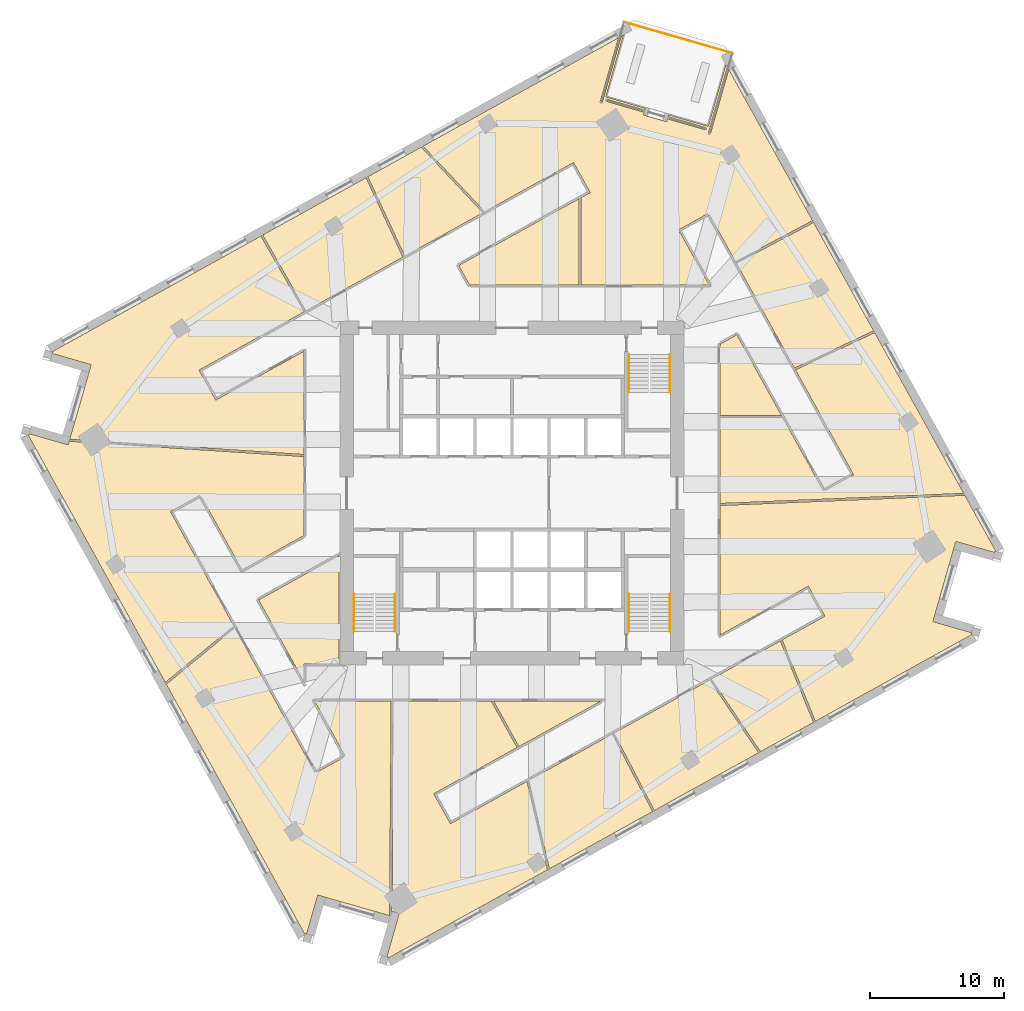
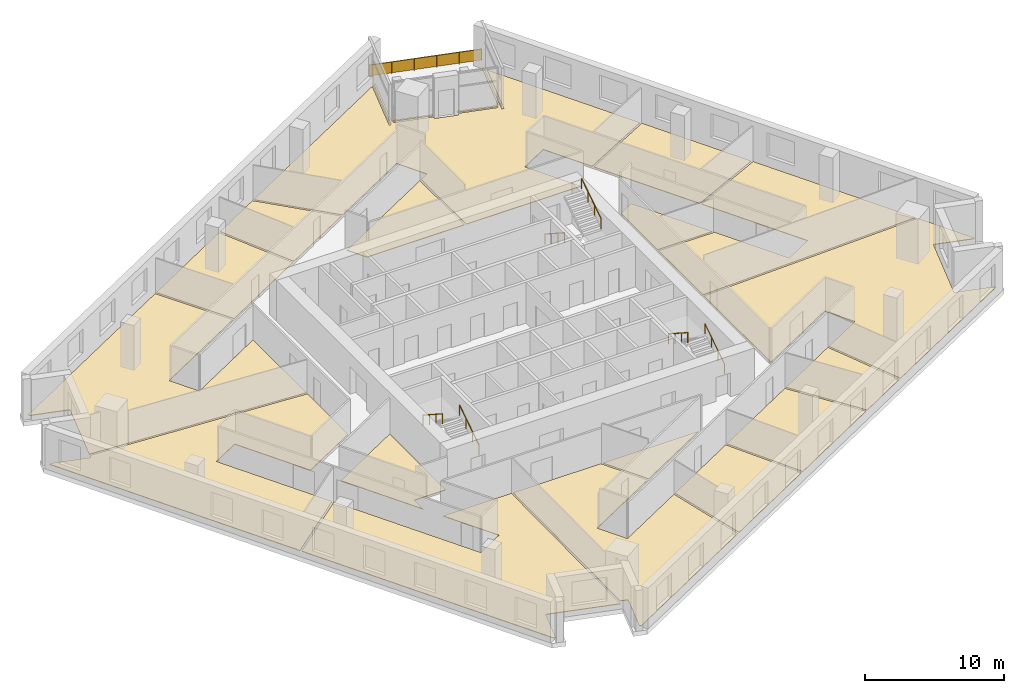
# One storey, part 11 of 12: 17 coverings, 7 railings.
"""IFC4 building model written with IfcOpenShell, lengths in metres."""

from ifc_helpers import new_model, si_unit, direction, frame, origin, origin_2d, place, context, subcontext, project, spatial, polyline, rectangle, circle, outline, extrude, material, layer, layer_set, type_object, element, save


model = new_model("IFC4")

# Units and contexts
model_context = context("Model", 3, precision=1e-05, world=origin(), true_north=direction((0.0, 1.0)))
body_context = subcontext(model_context, "Body", "Model", "MODEL_VIEW")
ifc_project = project(units=[si_unit("LENGTHUNIT", "METRE"), si_unit("AREAUNIT", "SQUARE_METRE"), si_unit("VOLUMEUNIT", "CUBIC_METRE"), si_unit("PLANEANGLEUNIT", "RADIAN"), si_unit("MASSUNIT", "GRAM", prefix="KILO")], contexts=[model_context])

# Site, building, storey
site_placement = place(None, origin())
site = spatial("IfcSite", under=ifc_project, at=site_placement, CompositionType="ELEMENT")
building_placement = place(site_placement, origin())
building = spatial("IfcBuilding", under=site, at=building_placement, Name="Dilmun Exchange Tower", CompositionType="ELEMENT")
storey_placement = place(building_placement, frame((0.0, 0.0, 143.699951171875)))
storey = spatial("IfcBuildingStorey", under=building, at=storey_placement, Name="L33", CompositionType="ELEMENT", Elevation=143.699951171875)

# Coverings
ifc_material_1 = material(Name="Carpet floor finish 50")
ifc_layer_1 = layer(ifc_material_1, 0.050048828125)
ifc_layer_set_1 = layer_set([ifc_layer_1], Name="Carpet floor finish 50")
covering_type_1 = type_object("IfcCoveringType", Name="Carpet floor finish 50", PredefinedType="FLOORING", material=ifc_layer_set_1)
covering_1_placement = place(storey_placement, origin())
element("IfcCovering", 1, at=covering_1_placement, inside=storey, type_object=covering_type_1, Name="Carpet floor finish 50 Open office 1", PredefinedType="FLOORING", context=body_context, shape_type="SweptSolid", body=[
    extrude(outline(polyline([(-15.47509765625, 2.724365234375), (-15.47509765625, -3.157470703125), (-20.093017578125, -5.71728515625), (-23.18701171875, -0.135498046875), (-25.4169921875, -1.371337890625), (-20.697265625, -9.886474609375), (-25.802001953125, -14.09033203125), (-36.01611328125, 4.33642578125), (-35.947998046875, 4.31689453125), (-35.94775390625, 4.31689453125), (-35.947509765625, 4.31689453125), (-35.947509765625, 4.31689453125), (-35.947265625, 4.31689453125), (-35.947021484375, 4.31689453125), (-35.94677734375, 4.31689453125), (-35.946533203125, 4.31689453125), (-35.946533203125, 4.317138671875), (-35.9462890625, 4.317138671875), (-35.946044921875, 4.3173828125), (-35.946044921875, 4.3173828125), (-35.94580078125, 4.317626953125), (-35.94580078125, 4.31787109375), (-35.94580078125, 4.31787109375), (-35.945556640625, 4.318115234375), (-35.945556640625, 4.318359375), (-35.915283203125, 4.42333984375), (-33.033447265625, 3.596923828125), (-33.033203125, 3.596923828125), (-33.033203125, 3.596923828125), (-33.032958984375, 3.596923828125), (-33.03271484375, 3.596923828125), (-33.032470703125, 3.596923828125), (-33.0322265625, 3.596923828125), (-33.031982421875, 3.59716796875), (-33.031982421875, 3.59716796875), (-33.03173828125, 3.597412109375), (-33.031494140625, 3.597412109375), (-33.031494140625, 3.597412109375), (-33.03125, 3.59765625), (-33.03125, 3.597900390625), (-33.031005859375, 3.597900390625), (-33.031005859375, 3.59814453125), (-33.031005859375, 3.598388671875), (-32.9560546875, 3.85986328125), (-15.47509765625, 2.724365234375)])), origin(), (0.0, 0.0, 1.0), 0.050048828125),
])
covering_2_placement = place(storey_placement, origin())
element("IfcCovering", 2, at=covering_2_placement, inside=storey, type_object=covering_type_1, Name="Carpet floor finish 50 Analyst office 1", PredefinedType="FLOORING", context=body_context, shape_type="SweptSolid", body=[
    extrude(outline(polyline([(-15.459228515625, 13.4921875), (-23.288818359375, 9.152099609375), (-22.052490234375, 6.921875), (-15.47509765625, 10.568115234375), (-15.47509765625, 2.87451171875), (-32.91357421875, 4.007568359375), (-32.865478515625, 4.175048828125), (-32.865478515625, 4.17529296875), (-32.865478515625, 4.17529296875), (-31.4873046875, 8.9814453125), (-31.4873046875, 8.981689453125), (-31.4873046875, 8.981689453125), (-31.4873046875, 8.98193359375), (-31.322021484375, 9.55810546875), (-31.322021484375, 9.558349609375), (-31.322021484375, 9.55859375), (-31.322021484375, 9.558837890625), (-31.322021484375, 9.55908203125), (-31.322021484375, 9.55908203125), (-31.322021484375, 9.559326171875), (-31.322265625, 9.5595703125), (-31.322265625, 9.559814453125), (-31.322509765625, 9.559814453125), (-31.322509765625, 9.56005859375), (-31.322509765625, 9.560302734375), (-31.32275390625, 9.560302734375), (-31.322998046875, 9.560546875), (-31.322998046875, 9.560546875), (-31.3232421875, 9.560546875), (-31.323486328125, 9.560791015625), (-34.205322265625, 10.386962890625), (-34.17529296875, 10.4921875), (-34.17529296875, 10.4921875), (-34.175048828125, 10.492431640625), (-34.175048828125, 10.49267578125), (-34.175048828125, 10.492919921875), (-34.17529296875, 10.492919921875), (-34.17529296875, 10.4931640625), (-34.17529296875, 10.493408203125), (-34.17529296875, 10.49365234375), (-34.175537109375, 10.49365234375), (-34.175537109375, 10.493896484375), (-34.17578125, 10.493896484375), (-34.17578125, 10.494140625), (-34.176025390625, 10.494384765625), (-34.17626953125, 10.494384765625), (-34.176513671875, 10.494384765625), (-34.176513671875, 10.494384765625), (-34.24462890625, 10.51416015625), (-18.68798828125, 19.13720703125), (-15.459228515625, 13.4921875)])), origin(), (0.0, 0.0, 1.0), 0.050048828125),
])
covering_3_placement = place(storey_placement, origin())
element("IfcCovering", 3, at=covering_3_placement, inside=storey, type_object=covering_type_1, Name="Carpet floor finish 50 Analyst office 2", PredefinedType="FLOORING", context=body_context, shape_type="SweptSolid", body=[
    extrude(outline(polyline([(-14.68408203125, -15.47509765625), (-8.986572265625, -15.47509765625), (-9.112060546875, -31.449951171875), (-13.875, -30.084228515625), (-13.875244140625, -30.083984375), (-13.87548828125, -30.083984375), (-14.4521484375, -29.918701171875), (-14.452392578125, -29.918701171875), (-14.452392578125, -29.918701171875), (-14.45263671875, -29.918701171875), (-14.452880859375, -29.918701171875), (-14.453125, -29.918701171875), (-14.453369140625, -29.918701171875), (-14.45361328125, -29.918701171875), (-14.45361328125, -29.9189453125), (-14.453857421875, -29.9189453125), (-14.4541015625, -29.919189453125), (-14.4541015625, -29.919189453125), (-14.4541015625, -29.91943359375), (-14.454345703125, -29.91943359375), (-14.45458984375, -29.919677734375), (-14.45458984375, -29.919921875), (-14.45458984375, -29.920166015625), (-15.281005859375, -32.802001953125), (-15.385986328125, -32.77197265625), (-15.38623046875, -32.771728515625), (-15.386474609375, -32.771728515625), (-15.38671875, -32.771728515625), (-15.386962890625, -32.771728515625), (-15.386962890625, -32.77197265625), (-15.38720703125, -32.77197265625), (-15.387451171875, -32.77197265625), (-15.3876953125, -32.772216796875), (-15.3876953125, -32.772216796875), (-15.387939453125, -32.772216796875), (-15.38818359375, -32.7724609375), (-15.38818359375, -32.772705078125), (-15.38818359375, -32.772705078125), (-15.388427734375, -32.77294921875), (-15.388427734375, -32.773193359375), (-15.388671875, -32.773193359375), (-15.408203125, -32.84130859375), (-25.72802734375, -14.2236328125), (-20.623291015625, -10.02001953125), (-14.632080078125, -20.828369140625), (-12.40185546875, -19.592041015625), (-14.68408203125, -15.47509765625)])), origin(), (0.0, 0.0, 1.0), 0.050048828125),
])
covering_4_placement = place(storey_placement, origin())
element("IfcCovering", 4, at=covering_4_placement, inside=storey, type_object=covering_type_1, Name="Carpet floor finish 50 Meeting room 1", PredefinedType="FLOORING", context=body_context, shape_type="SweptSolid", body=[
    extrude(outline(polyline([(-12.875, -4.6318359375), (-12.875, -12.724853515625), (-15.474609375, -12.72509765625), (-15.47509765625, -14.048095703125), (-18.856689453125, -7.947509765625), (-12.875, -4.6318359375)])), origin(), (0.0, 0.0, 1.0), 0.050048828125),
])
covering_5_placement = place(storey_placement, origin())
element("IfcCovering", 5, at=covering_5_placement, inside=storey, type_object=covering_type_1, Name="Carpet floor finish 50 Break-out lounge 1", PredefinedType="FLOORING", context=body_context, shape_type="SweptSolid", body=[
    extrude(outline(polyline([(-8.11376953125, 17.56396484375), (-15.328125, 13.56494140625), (-18.556884765625, 19.2099609375), (-10.860595703125, 23.476318359375), (-8.11376953125, 17.56396484375)])), origin(), (0.0, 0.0, 1.0), 0.050048828125),
])
covering_6_placement = place(storey_placement, origin())
element("IfcCovering", 6, at=covering_6_placement, inside=storey, type_object=covering_type_1, Name="Carpet floor finish 50 Open office 2", PredefinedType="FLOORING", context=body_context, shape_type="SweptSolid", body=[
    extrude(outline(polyline([(-8.836669921875, -15.47509765625), (-1.54052734375, -15.47509765625), (0.3779296875, -18.936279296875), (-5.81591796875, -22.3701171875), (-4.579345703125, -24.599853515625), (1.1162109375, -21.442626953125), (2.647216796875, -28.02880859375), (-9.23046875, -34.61279296875), (-9.2109375, -34.544677734375), (-9.2109375, -34.54443359375), (-9.210693359375, -34.544189453125), (-9.210693359375, -34.5439453125), (-9.210693359375, -34.543701171875), (-9.2109375, -34.543701171875), (-9.2109375, -34.54345703125), (-9.2109375, -34.543212890625), (-9.211181640625, -34.54296875), (-9.211181640625, -34.54296875), (-9.211181640625, -34.542724609375), (-9.21142578125, -34.54248046875), (-9.211669921875, -34.54248046875), (-9.211669921875, -34.542236328125), (-9.2119140625, -34.542236328125), (-9.212158203125, -34.542236328125), (-9.21240234375, -34.5419921875), (-9.3173828125, -34.511962890625), (-8.392822265625, -31.288330078125), (-8.392822265625, -31.2880859375), (-8.392822265625, -31.2880859375), (-8.392822265625, -31.287841796875), (-8.392822265625, -31.28759765625), (-8.392822265625, -31.287353515625), (-8.392822265625, -31.287109375), (-8.39306640625, -31.287109375), (-8.39306640625, -31.286865234375), (-8.393310546875, -31.28662109375), (-8.393310546875, -31.28662109375), (-8.393310546875, -31.286376953125), (-8.3935546875, -31.2861328125), (-8.393798828125, -31.2861328125), (-8.393798828125, -31.285888671875), (-8.39404296875, -31.285888671875), (-8.394287109375, -31.285888671875), (-8.959716796875, -31.123779296875), (-8.836669921875, -15.47509765625)])), origin(), (0.0, 0.0, 1.0), 0.050048828125),
])
covering_7_placement = place(storey_placement, origin())
element("IfcCovering", 7, at=covering_7_placement, inside=storey, type_object=covering_type_1, Name="Carpet floor finish 50 Meeting room 2", PredefinedType="FLOORING", context=body_context, shape_type="SweptSolid", body=[
    extrude(outline(polyline([(-1.369140625, -15.47509765625), (6.62255859375, -15.47509765625), (0.50927734375, -18.863525390625), (-1.369140625, -15.47509765625)])), origin(), (0.0, 0.0, 1.0), 0.050048828125),
])
covering_8_placement = place(storey_placement, origin())
element("IfcCovering", 8, at=covering_8_placement, inside=storey, type_object=covering_type_1, Name="Carpet floor finish 50 Break-out lounge 2", PredefinedType="FLOORING", context=body_context, shape_type="SweptSolid", body=[
    extrude(outline(polyline([(7.4580078125, -17.927490234375), (10.466796875, -23.6943359375), (2.78369140625, -27.953125), (1.252685546875, -21.3671875), (7.4580078125, -17.927490234375)])), origin(), (0.0, 0.0, 1.0), 0.050048828125),
])
covering_9_placement = place(storey_placement, origin())
element("IfcCovering", 9, at=covering_9_placement, inside=storey, type_object=covering_type_1, Name="Carpet floor finish 50 Garden lounge", PredefinedType="FLOORING", context=body_context, shape_type="SweptSolid", body=[
    extrude(outline(polyline([(14.632080078125, 20.828369140625), (12.40185546875, 19.592041015625), (14.68408203125, 15.47509765625), (5.120361328125, 15.47509765625), (5.120361328125, 21.984130859375), (5.81591796875, 22.36962890625), (4.57958984375, 24.60009765625), (-2.021240234375, 20.94091796875), (-6.622802734375, 25.8251953125), (7.922119140625, 33.887451171875), (6.540283203125, 29.068603515625), (6.540283203125, 29.068359375), (6.540283203125, 29.068115234375), (6.540283203125, 29.068115234375), (6.540283203125, 29.06787109375), (6.540283203125, 29.067626953125), (6.540283203125, 29.0673828125), (6.540283203125, 29.0673828125), (6.540283203125, 29.067138671875), (6.54052734375, 29.06689453125), (6.540771484375, 29.06689453125), (6.540771484375, 29.066650390625), (6.541015625, 29.06640625), (6.541015625, 29.06640625), (6.541259765625, 29.06640625), (6.54150390625, 29.066162109375), (6.54150390625, 29.066162109375), (6.6953125, 29.02197265625), (6.695556640625, 29.02197265625), (6.69580078125, 29.02197265625), (6.696044921875, 29.02197265625), (6.6962890625, 29.02197265625), (6.6962890625, 29.02197265625), (6.696533203125, 29.02197265625), (6.69677734375, 29.022216796875), (6.697021484375, 29.022216796875), (6.697021484375, 29.022216796875), (6.697265625, 29.0224609375), (6.697509765625, 29.022705078125), (6.697509765625, 29.022705078125), (6.69775390625, 29.02294921875), (6.69775390625, 29.02294921875), (6.697998046875, 29.023193359375), (6.697998046875, 29.0234375), (8.125, 34.0), (8.3017578125, 34.097900390625), (6.97998046875, 29.48876953125), (9.923583984375, 28.64453125), (9.884033203125, 28.507080078125), (7.0126953125, 29.33056640625), (7.012451171875, 29.33056640625), (7.01220703125, 29.33056640625), (7.01220703125, 29.33056640625), (7.011962890625, 29.33056640625), (7.01171875, 29.33056640625), (7.011474609375, 29.33056640625), (7.011474609375, 29.330322265625), (7.01123046875, 29.330322265625), (7.010986328125, 29.330078125), (7.010986328125, 29.330078125), (7.0107421875, 29.330078125), (7.010498046875, 29.329833984375), (7.010498046875, 29.32958984375), (7.010498046875, 29.32958984375), (7.01025390625, 29.329345703125), (7.01025390625, 29.3291015625), (6.966064453125, 29.17529296875), (6.966064453125, 29.17529296875), (6.966064453125, 29.175048828125), (6.966064453125, 29.1748046875), (6.966064453125, 29.174560546875), (6.966064453125, 29.17431640625), (6.966064453125, 29.17431640625), (6.96630859375, 29.174072265625), (6.96630859375, 29.173828125), (6.96630859375, 29.173583984375), (6.966552734375, 29.173583984375), (6.966796875, 29.17333984375), (6.966796875, 29.173095703125), (6.967041015625, 29.173095703125), (6.967041015625, 29.173095703125), (6.96728515625, 29.1728515625), (6.967529296875, 29.1728515625), (9.8388671875, 28.349609375), (9.77880859375, 28.139892578125), (9.77880859375, 28.139892578125), (9.77880859375, 28.1396484375), (9.77880859375, 28.139404296875), (9.77880859375, 28.13916015625), (9.77880859375, 28.138916015625), (9.77880859375, 28.138916015625), (9.77880859375, 28.138671875), (9.779052734375, 28.138427734375), (9.779052734375, 28.13818359375), (9.779296875, 28.13818359375), (9.779296875, 28.137939453125), (9.779541015625, 28.137939453125), (9.779541015625, 28.1376953125), (9.77978515625, 28.1376953125), (9.780029296875, 28.1376953125), (9.7802734375, 28.137451171875), (11.510498046875, 27.641357421875), (11.5107421875, 27.641357421875), (11.510986328125, 27.641357421875), (11.510986328125, 27.641357421875), (11.51123046875, 27.641357421875), (11.511474609375, 27.641357421875), (11.51171875, 27.641357421875), (11.51171875, 27.6416015625), (11.511962890625, 27.6416015625), (11.51220703125, 27.6416015625), (11.51220703125, 27.641845703125), (11.512451171875, 27.641845703125), (11.5126953125, 27.64208984375), (11.5126953125, 27.64208984375), (11.5126953125, 27.642333984375), (11.512939453125, 27.642578125), (11.512939453125, 27.642822265625), (11.572998046875, 27.852294921875), (14.4443359375, 27.02880859375), (14.444580078125, 27.02880859375), (14.44482421875, 27.02880859375), (14.445068359375, 27.02880859375), (14.4453125, 27.02880859375), (14.4453125, 27.02880859375), (14.445556640625, 27.02880859375), (14.44580078125, 27.029052734375), (14.44580078125, 27.029052734375), (14.446044921875, 27.029296875), (14.4462890625, 27.029296875), (14.4462890625, 27.029296875), (14.446533203125, 27.029541015625), (14.446533203125, 27.02978515625), (14.44677734375, 27.02978515625), (14.44677734375, 27.030029296875), (14.447021484375, 27.0302734375), (14.490966796875, 27.18408203125), (14.490966796875, 27.18408203125), (14.490966796875, 27.184326171875), (14.4912109375, 27.1845703125), (14.490966796875, 27.184814453125), (14.490966796875, 27.18505859375), (14.490966796875, 27.185302734375), (14.490966796875, 27.185302734375), (14.49072265625, 27.185546875), (14.49072265625, 27.185791015625), (14.490478515625, 27.185791015625), (14.490478515625, 27.18603515625), (14.490234375, 27.186279296875), (14.489990234375, 27.186279296875), (14.489990234375, 27.186279296875), (14.48974609375, 27.1865234375), (14.489501953125, 27.1865234375), (11.6181640625, 28.010009765625), (11.65771484375, 28.1474609375), (14.60107421875, 27.303466796875), (15.9228515625, 31.91259765625), (16.02099609375, 31.73583984375), (14.593994140625, 26.75927734375), (14.59375, 26.759033203125), (14.59375, 26.7587890625), (14.59375, 26.7587890625), (14.59375, 26.758544921875), (14.59375, 26.75830078125), (14.593994140625, 26.758056640625), (14.593994140625, 26.758056640625), (14.593994140625, 26.7578125), (14.59423828125, 26.757568359375), (14.59423828125, 26.757568359375), (14.594482421875, 26.75732421875), (14.594482421875, 26.757080078125), (14.5947265625, 26.757080078125), (14.594970703125, 26.757080078125), (14.59521484375, 26.7568359375), (14.59521484375, 26.7568359375), (14.7490234375, 26.712646484375), (14.749267578125, 26.712646484375), (14.74951171875, 26.712646484375), (14.74951171875, 26.712646484375), (14.749755859375, 26.712646484375), (14.75, 26.712646484375), (14.750244140625, 26.712646484375), (14.75048828125, 26.712890625), (14.75048828125, 26.712890625), (14.750732421875, 26.712890625), (14.7509765625, 26.713134765625), (14.7509765625, 26.71337890625), (14.751220703125, 26.71337890625), (14.751220703125, 26.713623046875), (14.75146484375, 26.713623046875), (14.75146484375, 26.7138671875), (14.75146484375, 26.714111328125), (16.13330078125, 31.532958984375), (22.373291015625, 20.275390625), (16.62451171875, 17.234130859375), (14.632080078125, 20.828369140625)])), origin(), (0.0, 0.0, 1.0), 0.050048828125),
])
covering_10_placement = place(storey_placement, origin())
element("IfcCovering", 10, at=covering_10_placement, inside=storey, type_object=covering_type_1, Name="Carpet floor finish 50 Break-out lounge 3", PredefinedType="FLOORING", context=body_context, shape_type="SweptSolid", body=[
    extrude(outline(polyline([(7.589111328125, -17.854736328125), (14.709228515625, -13.907958984375), (18.359375, -19.319580078125), (10.597900390625, -23.62158203125), (7.589111328125, -17.854736328125)])), origin(), (0.0, 0.0, 1.0), 0.050048828125),
])
covering_11_placement = place(storey_placement, origin())
element("IfcCovering", 11, at=covering_11_placement, inside=storey, type_object=covering_type_1, Name="Carpet floor finish 50 Meeting room 3", PredefinedType="FLOORING", context=body_context, shape_type="SweptSolid", body=[
    extrude(outline(polyline([(15.47509765625, 11.082763671875), (16.732421875, 11.77978515625), (20.052001953125, 5.790771484375), (15.47509765625, 5.790771484375), (15.47509765625, 11.082763671875)])), origin(), (0.0, 0.0, 1.0), 0.050048828125),
])
covering_12_placement = place(storey_placement, origin())
element("IfcCovering", 12, at=covering_12_placement, inside=storey, type_object=covering_type_1, Name="Carpet floor finish 50 Break-out lounge 4", PredefinedType="FLOORING", context=body_context, shape_type="SweptSolid", body=[
    extrude(outline(polyline([(16.697265625, 17.102783203125), (22.4462890625, 20.144287109375), (26.9169921875, 12.07861328125), (21.01904296875, 9.306396484375), (16.697265625, 17.102783203125)])), origin(), (0.0, 0.0, 1.0), 0.050048828125),
])
covering_13_placement = place(storey_placement, origin())
element("IfcCovering", 13, at=covering_13_placement, inside=storey, type_object=covering_type_1, Name="Carpet floor finish 50 Open office 3", PredefinedType="FLOORING", context=body_context, shape_type="SweptSolid", body=[
    extrude(outline(polyline([(20.10205078125, -10.918701171875), (23.288818359375, -9.152099609375), (22.052490234375, -6.921875), (15.47509765625, -10.568115234375), (15.47509765625, -0.920166015625), (33.70263671875, -0.1630859375), (36.01611328125, -4.33642578125), (35.947998046875, -4.31689453125), (35.94775390625, -4.31689453125), (35.947509765625, -4.31689453125), (35.947509765625, -4.31689453125), (35.947265625, -4.31689453125), (35.947021484375, -4.31689453125), (35.94677734375, -4.31689453125), (35.946533203125, -4.31689453125), (35.946533203125, -4.317138671875), (35.9462890625, -4.317138671875), (35.946044921875, -4.3173828125), (35.946044921875, -4.3173828125), (35.94580078125, -4.317626953125), (35.94580078125, -4.31787109375), (35.94580078125, -4.31787109375), (35.945556640625, -4.318115234375), (35.945556640625, -4.318359375), (35.915283203125, -4.42333984375), (33.033447265625, -3.596923828125), (33.033203125, -3.596923828125), (33.033203125, -3.596923828125), (33.032958984375, -3.596923828125), (33.03271484375, -3.596923828125), (33.032470703125, -3.596923828125), (33.0322265625, -3.596923828125), (33.031982421875, -3.59716796875), (33.031982421875, -3.59716796875), (33.03173828125, -3.597412109375), (33.031494140625, -3.597412109375), (33.031494140625, -3.597412109375), (33.03125, -3.59765625), (33.03125, -3.597900390625), (33.031005859375, -3.597900390625), (33.031005859375, -3.59814453125), (33.031005859375, -3.598388671875), (32.865478515625, -4.175048828125), (32.865478515625, -4.17529296875), (32.865478515625, -4.17529296875), (31.4873046875, -8.9814453125), (31.4873046875, -8.981689453125), (31.4873046875, -8.981689453125), (31.4873046875, -8.98193359375), (31.322021484375, -9.55810546875), (31.322021484375, -9.558349609375), (31.322021484375, -9.55859375), (31.322021484375, -9.558837890625), (31.322021484375, -9.55908203125), (31.322021484375, -9.55908203125), (31.322021484375, -9.559326171875), (31.322265625, -9.5595703125), (31.322265625, -9.559814453125), (31.322509765625, -9.559814453125), (31.322509765625, -9.56005859375), (31.322509765625, -9.560302734375), (31.32275390625, -9.560302734375), (31.322998046875, -9.560546875), (31.322998046875, -9.560546875), (31.3232421875, -9.560546875), (31.323486328125, -9.560791015625), (34.205322265625, -10.386962890625), (34.17529296875, -10.4921875), (34.17529296875, -10.4921875), (34.175048828125, -10.492431640625), (34.175048828125, -10.49267578125), (34.175048828125, -10.492919921875), (34.17529296875, -10.492919921875), (34.17529296875, -10.4931640625), (34.17529296875, -10.493408203125), (34.17529296875, -10.49365234375), (34.175537109375, -10.49365234375), (34.175537109375, -10.493896484375), (34.17578125, -10.493896484375), (34.17578125, -10.494140625), (34.176025390625, -10.494384765625), (34.17626953125, -10.494384765625), (34.176513671875, -10.494384765625), (34.176513671875, -10.494384765625), (34.24462890625, -10.51416015625), (22.57373046875, -16.9833984375), (20.10205078125, -10.918701171875)])), origin(), (0.0, 0.0, 1.0), 0.050048828125),
])

# Railings
ifc_material_2 = material(Name="Stainless steel", Category="steel")
railing_type_1 = type_object("IfcRailingType", Name="Stair handrail 900", PredefinedType="HANDRAIL", material=ifc_material_2)
railing_1_placement = place(storey_placement, frame((8.699951171875, 10.300048828125, 0.181884765625)))
element("IfcRailing", 14, at=railing_1_placement, inside=storey, type_object=railing_type_1, Name="L33 ST1 stair handrail 1", PredefinedType="HANDRAIL", context=body_context, shape_type="SweptSolid", body=[
    extrude(circle(Radius=0.02392578125, at=origin_2d()), frame((0.0, 0.0, 0.8759765625), z_axis=(0.0, -0.838705829183, 0.544584733623), x_axis=(1.0, 0.0, 0.0)), (0.0, 0.0, 1.0), 3.338623046875),
    extrude(circle(Radius=0.02099609375, at=origin_2d()), origin(), (0.0, 0.0, 1.0), 0.851806640625),
    extrude(circle(Radius=0.02099609375, at=origin_2d()), frame((0.0, -0.933349609375, 0.60595703125)), (0.0, 0.0, 1.0), 0.851806640625),
    extrude(circle(Radius=0.02099609375, at=origin_2d()), frame((0.0, -1.86669921875, 1.212158203125)), (0.0, 0.0, 1.0), 0.851806640625),
    extrude(circle(Radius=0.02099609375, at=origin_2d()), frame((0.0, -2.800048828125, 1.818115234375)), (0.0, 0.0, 1.0), 0.851806640625),
])
for number, where, name in (
    (15, (11.75, 7.5, 2.181884765625), "L33 ST1 stair handrail 2"),
    (16, (-8.699951171875, -10.300048828125, 0.181884765625), "L33 ST2 stair handrail 1"),
):
    element("IfcRailing", number, at=place(storey_placement, frame(where)), inside=storey, type_object=railing_type_1, Name=name, PredefinedType="HANDRAIL", context=body_context, shape_type="SweptSolid", body=[
        extrude(circle(Radius=0.02392578125, at=origin_2d()), frame((0.0, 0.0, 0.8759765625), z_axis=(0.0, 0.838705829183, 0.544584733623), x_axis=(-1.0, 0.0, 0.0)), (0.0, 0.0, 1.0), 3.338623046875),
        extrude(circle(Radius=0.02099609375, at=origin_2d()), origin(), (0.0, 0.0, 1.0), 0.851806640625),
        extrude(circle(Radius=0.02099609375, at=origin_2d()), frame((0.0, 0.933349609375, 0.60595703125)), (0.0, 0.0, 1.0), 0.851806640625),
        extrude(circle(Radius=0.02099609375, at=origin_2d()), frame((0.0, 1.86669921875, 1.212158203125)), (0.0, 0.0, 1.0), 0.851806640625),
        extrude(circle(Radius=0.02099609375, at=origin_2d()), frame((0.0, 2.800048828125, 1.818115234375)), (0.0, 0.0, 1.0), 0.851806640625),
    ])
railing_2_placement = place(storey_placement, frame((-11.75, -7.5, 2.181884765625)))
element("IfcRailing", 17, at=railing_2_placement, inside=storey, type_object=railing_type_1, Name="L33 ST2 stair handrail 2", PredefinedType="HANDRAIL", context=body_context, shape_type="SweptSolid", body=[
    extrude(circle(Radius=0.02392578125, at=origin_2d()), frame((0.0, 0.0, 0.8759765625), z_axis=(0.0, -0.838705829183, 0.544584733623), x_axis=(1.0, 0.0, 0.0)), (0.0, 0.0, 1.0), 3.338623046875),
    extrude(circle(Radius=0.02099609375, at=origin_2d()), origin(), (0.0, 0.0, 1.0), 0.851806640625),
    extrude(circle(Radius=0.02099609375, at=origin_2d()), frame((0.0, -0.933349609375, 0.60595703125)), (0.0, 0.0, 1.0), 0.851806640625),
    extrude(circle(Radius=0.02099609375, at=origin_2d()), frame((0.0, -1.86669921875, 1.212158203125)), (0.0, 0.0, 1.0), 0.851806640625),
    extrude(circle(Radius=0.02099609375, at=origin_2d()), frame((0.0, -2.800048828125, 1.818115234375)), (0.0, 0.0, 1.0), 0.851806640625),
])
railing_3_placement = place(storey_placement, frame((11.75, -10.300048828125, 0.181884765625)))
element("IfcRailing", 18, at=railing_3_placement, inside=storey, type_object=railing_type_1, Name="L33 ST3 stair handrail 1", PredefinedType="HANDRAIL", context=body_context, shape_type="SweptSolid", body=[
    extrude(circle(Radius=0.02392578125, at=origin_2d()), frame((0.0, 0.0, 0.8759765625), z_axis=(0.0, 0.838705829183, 0.544584733623), x_axis=(-1.0, 0.0, 0.0)), (0.0, 0.0, 1.0), 3.338623046875),
    extrude(circle(Radius=0.02099609375, at=origin_2d()), origin(), (0.0, 0.0, 1.0), 0.851806640625),
    extrude(circle(Radius=0.02099609375, at=origin_2d()), frame((0.0, 0.933349609375, 0.60595703125)), (0.0, 0.0, 1.0), 0.851806640625),
    extrude(circle(Radius=0.02099609375, at=origin_2d()), frame((0.0, 1.86669921875, 1.212158203125)), (0.0, 0.0, 1.0), 0.851806640625),
    extrude(circle(Radius=0.02099609375, at=origin_2d()), frame((0.0, 2.800048828125, 1.818115234375)), (0.0, 0.0, 1.0), 0.851806640625),
])
railing_4_placement = place(storey_placement, frame((8.699951171875, -7.5, 2.181884765625)))
element("IfcRailing", 19, at=railing_4_placement, inside=storey, type_object=railing_type_1, Name="L33 ST3 stair handrail 2", PredefinedType="HANDRAIL", context=body_context, shape_type="SweptSolid", body=[
    extrude(circle(Radius=0.02392578125, at=origin_2d()), frame((0.0, 0.0, 0.8759765625), z_axis=(0.0, -0.838705829183, 0.544584733623), x_axis=(1.0, 0.0, 0.0)), (0.0, 0.0, 1.0), 3.338623046875),
    extrude(circle(Radius=0.02099609375, at=origin_2d()), origin(), (0.0, 0.0, 1.0), 0.851806640625),
    extrude(circle(Radius=0.02099609375, at=origin_2d()), frame((0.0, -0.933349609375, 0.60595703125)), (0.0, 0.0, 1.0), 0.851806640625),
    extrude(circle(Radius=0.02099609375, at=origin_2d()), frame((0.0, -1.86669921875, 1.212158203125)), (0.0, 0.0, 1.0), 0.851806640625),
    extrude(circle(Radius=0.02099609375, at=origin_2d()), frame((0.0, -2.800048828125, 1.818115234375)), (0.0, 0.0, 1.0), 0.851806640625),
])

# Covering
ifc_material_3 = material(Name="Stone floor finish 50", Category="masonry")
ifc_layer_2 = layer(ifc_material_3, 0.050048828125)
ifc_layer_set_2 = layer_set([ifc_layer_2], Name="Stone floor finish 50")
covering_type_2 = type_object("IfcCoveringType", Name="Stone floor finish 50", PredefinedType="FLOORING", material=ifc_layer_set_2)
covering_14_placement = place(storey_placement, origin())
element("IfcCovering", 20, at=covering_14_placement, inside=storey, type_object=covering_type_2, Name="Stone floor finish 50 Reception", PredefinedType="FLOORING", context=body_context, shape_type="SweptSolid", body=[
    extrude(outline(polyline([(25.417236328125, 1.37158203125), (21.091796875, 9.1748046875), (26.989990234375, 11.947265625), (33.621337890625, -0.01611328125), (15.47509765625, -0.77001953125), (15.47509765625, 5.640625), (20.13525390625, 5.640625), (23.18701171875, 0.13525390625), (25.417236328125, 1.37158203125)])), origin(), (0.0, 0.0, 1.0), 0.050048828125),
])

# Railing
railing_type_2 = type_object("IfcRailingType", Name="Terrace guard 1100 stainless steel", PredefinedType="GUARDRAIL", material=ifc_material_2)
railing_5_placement = place(storey_placement, frame((8.3408203125, 35.050537109375, 0.0)))
element("IfcRailing", 21, at=railing_5_placement, inside=storey, type_object=railing_type_2, Name="Terrace guard 1", PredefinedType="GUARDRAIL", context=body_context, shape_type="SweptSolid", body=[
    extrude(circle(Radius=0.02392578125, at=origin_2d()), frame((0.0, 0.0, 1.076171875), z_axis=(0.961260692501, -0.275640855196, 0.0), x_axis=(0.275640855196, 0.961260692501, 0.0)), (0.0, 0.0, 1.0), 8.3779296875),
    extrude(rectangle(XDim=0.011962890625, YDim=0.951904296875, at=origin_2d()), frame((0.0, 0.0, 0.576171875), z_axis=(0.961260692501, -0.275640855196, 0.0), x_axis=(0.275640855196, 0.961260692501, 0.0)), (0.0, 0.0, 1.0), 8.3779296875),
    extrude(circle(Radius=0.02099609375, at=origin_2d()), origin(), (0.0, 0.0, 1.0), 1.052001953125),
    extrude(circle(Radius=0.02099609375, at=origin_2d()), frame((1.610595703125, -0.4619140625, 0.0)), (0.0, 0.0, 1.0), 1.052001953125),
    extrude(circle(Radius=0.02099609375, at=origin_2d()), frame((3.221435546875, -0.923828125, 0.0)), (0.0, 0.0, 1.0), 1.052001953125),
    extrude(circle(Radius=0.02099609375, at=origin_2d()), frame((4.83203125, -1.385498046875, 0.0)), (0.0, 0.0, 1.0), 1.052001953125),
    extrude(circle(Radius=0.02099609375, at=origin_2d()), frame((6.44287109375, -1.847412109375, 0.0)), (0.0, 0.0, 1.0), 1.052001953125),
    extrude(circle(Radius=0.02099609375, at=origin_2d()), frame((8.053466796875, -2.309326171875, 0.0)), (0.0, 0.0, 1.0), 1.052001953125),
])

# Coverings
ifc_material_4 = material(Name="Tile floor finish 50")
ifc_layer_3 = layer(ifc_material_4, 0.050048828125)
ifc_layer_set_3 = layer_set([ifc_layer_3], Name="Tile floor finish 50")
covering_type_3 = type_object("IfcCoveringType", Name="Tile floor finish 50", PredefinedType="FLOORING", material=ifc_layer_set_3)
covering_15_placement = place(storey_placement, origin())
element("IfcCovering", 22, at=covering_15_placement, inside=storey, type_object=covering_type_3, Name="Tile floor finish 50 Pantry 1", PredefinedType="FLOORING", context=body_context, shape_type="SweptSolid", body=[
    extrude(outline(polyline([(-10.72900390625, 23.549072265625), (-6.75830078125, 25.75), (-2.15673828125, 20.865966796875), (-7.982177734375, 17.636962890625), (-10.72900390625, 23.549072265625)])), origin(), (0.0, 0.0, 1.0), 0.050048828125),
])
covering_16_placement = place(storey_placement, origin())
element("IfcCovering", 23, at=covering_16_placement, inside=storey, type_object=covering_type_3, Name="Tile floor finish 50 Pantry 2", PredefinedType="FLOORING", context=body_context, shape_type="SweptSolid", body=[
    extrude(outline(polyline([(4.97021484375, 15.47509765625), (-3.157470703125, 15.47509765625), (-3.971923828125, 16.9443359375), (4.97021484375, 21.90087890625), (4.97021484375, 15.47509765625)])), origin(), (0.0, 0.0, 1.0), 0.050048828125),
])
covering_17_placement = place(storey_placement, origin())
element("IfcCovering", 24, at=covering_17_placement, inside=storey, type_object=covering_type_3, Name="Tile floor finish 50 Pantry 3", PredefinedType="FLOORING", context=body_context, shape_type="SweptSolid", body=[
    extrude(outline(polyline([(19.969970703125, -10.991943359375), (22.441650390625, -17.056640625), (18.4912109375, -19.24658203125), (14.8408203125, -13.8349609375), (19.969970703125, -10.991943359375)])), origin(), (0.0, 0.0, 1.0), 0.050048828125),
])

save(model, "model.ifc")
